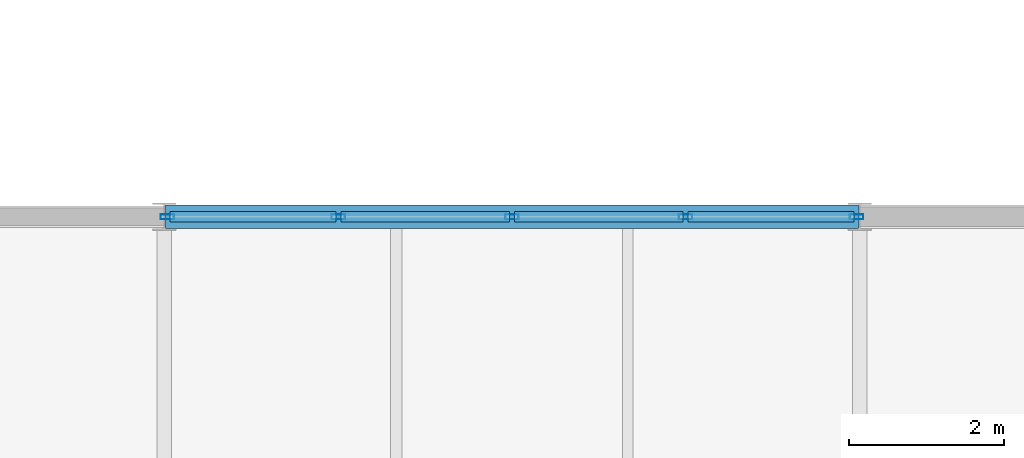
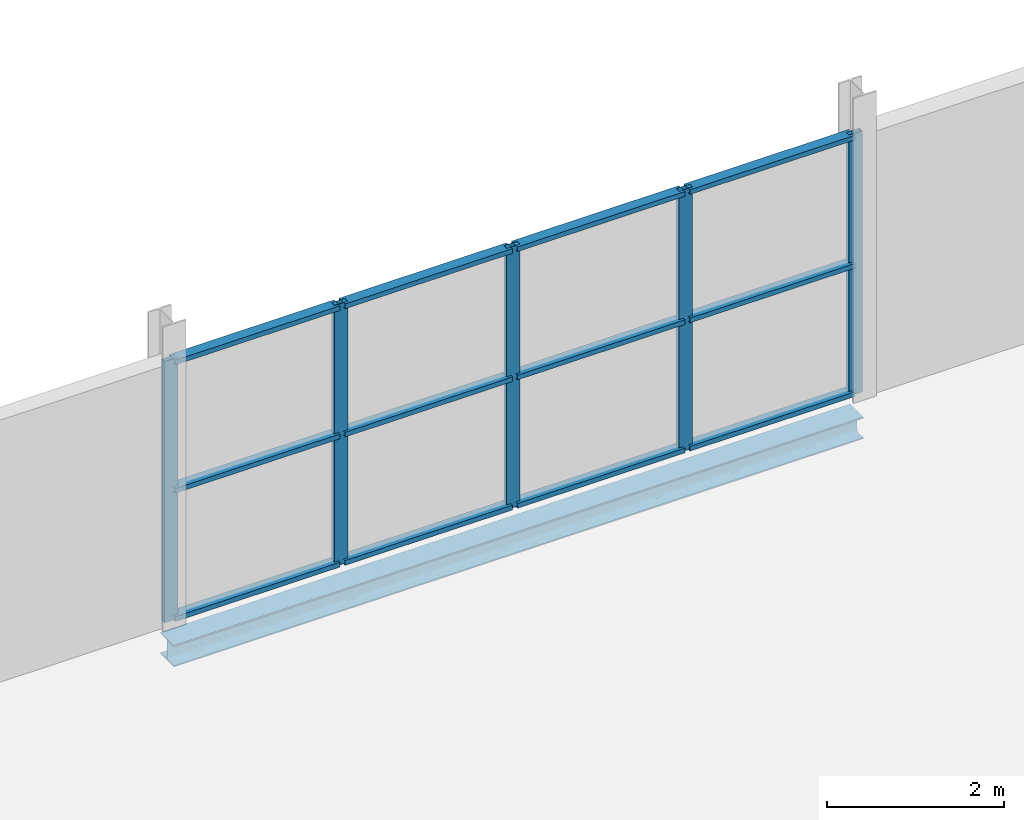
# One storey, part 98 of 132: 17 members, 1 beam, 1 element without a shape of its own.
"""IFC4 building model written with IfcOpenShell, lengths in metres."""

from ifc_helpers import new_model, si_unit, direction, frame, origin, origin_2d, place, context, subcontext, project, spatial, hollow_rectangle, i_section, extrude, material, layer, layer_set, material_profile, profile_set, type_object, element, aggregate, save


model = new_model("IFC4")

# Units and contexts
model_context = context("Model", 3, precision=1e-05, world=origin(), true_north=direction((0.0, 1.0)))
body_context = subcontext(model_context, "Body", "Model", "MODEL_VIEW")
ifc_project = project(units=[si_unit("LENGTHUNIT", "METRE"), si_unit("AREAUNIT", "SQUARE_METRE"), si_unit("VOLUMEUNIT", "CUBIC_METRE"), si_unit("PLANEANGLEUNIT", "RADIAN"), si_unit("MASSUNIT", "GRAM", prefix="KILO")], contexts=[model_context])

# Site, building, storey
site_placement = place(None, origin())
site = spatial("IfcSite", under=ifc_project, at=site_placement, CompositionType="ELEMENT")
building_placement = place(site_placement, origin())
building = spatial("IfcBuilding", under=site, at=building_placement, Name="Deido Ridge Mobility Hub", CompositionType="ELEMENT")
storey_placement = place(building_placement, frame((0.0, 0.0, 8.39990234375)))
storey = spatial("IfcBuildingStorey", under=building, at=storey_placement, Name="L02", CompositionType="ELEMENT", Elevation=8.39990234375)

# Curtain wall, members
ifc_material_1 = material(Name="Anodised aluminium EN AW-6063 T6", Category="aluminium")
ifc_layer = layer(ifc_material_1, 0.132080078125, Name="Anodised aluminium EN AW-6063 T6")
ifc_layer_set = layer_set([ifc_layer], Name="Anodised aluminium EN AW-6063 T6")
curtain_wall_type = type_object("IfcCurtainWallType", Name="CW-GS-1", PredefinedType="USERDEFINED", material=ifc_layer_set)
curtain_wall_placement = place(storey_placement, origin())
curtain_wall = element("IfcCurtainWall", 1, at=curtain_wall_placement, inside=storey, type_object=curtain_wall_type, Name="Unitised curtain wall GS1", ObjectType="GLAZED SCREEN", PredefinedType="USERDEFINED")
ifc_material_profile_1 = material_profile(ifc_material_1, hollow_rectangle(XDim=0.06494140625, YDim=0.175048828125, WallThickness=0.00390625, at=origin_2d()), Name="RHS 65x175x4")
ifc_profile_set_1 = profile_set([ifc_material_profile_1], Name="Anodised aluminium EN AW-6063 T6")
member_type_1 = type_object("IfcMemberType", Name="MEM-MUL-65X175", PredefinedType="MULLION", material=ifc_profile_set_1)
member_1_placement = place(storey_placement, frame((162.038818359375, 72.0, 0.0), z_axis=(0.0, 0.0, 1.0), x_axis=(0.0, 1.0, 0.0)))
member_1 = element("IfcMember", 2, at=member_1_placement, type_object=member_type_1, Name="GS1 mullion 1", PredefinedType="MULLION", context=body_context, shape_type="SweptSolid", body=[
    extrude(hollow_rectangle(XDim=0.06494140625, YDim=0.175048828125, WallThickness=0.00390625, at=origin_2d()), origin(), (0.0, 0.0, 1.0), 3.60009765625),
])
member_2_placement = place(storey_placement, frame((164.253173828125, 72.0, 0.0), z_axis=(0.0, 0.0, 1.0), x_axis=(0.0, 1.0, 0.0)))
member_2 = element("IfcMember", 3, at=member_2_placement, type_object=member_type_1, Name="GS1 mullion 2", PredefinedType="MULLION", context=body_context, shape_type="SweptSolid", body=[
    extrude(hollow_rectangle(XDim=0.06494140625, YDim=0.175048828125, WallThickness=0.00390625, at=origin_2d()), origin(), (0.0, 0.0, 1.0), 3.60009765625),
])
member_3_placement = place(storey_placement, frame((166.5, 72.0, 0.0), z_axis=(0.0, 0.0, 1.0), x_axis=(0.0, 1.0, 0.0)))
member_3 = element("IfcMember", 4, at=member_3_placement, type_object=member_type_1, Name="GS1 mullion 3", PredefinedType="MULLION", context=body_context, shape_type="SweptSolid", body=[
    extrude(hollow_rectangle(XDim=0.06494140625, YDim=0.175048828125, WallThickness=0.00390625, at=origin_2d()), origin(), (0.0, 0.0, 1.0), 3.60009765625),
])
member_4_placement = place(storey_placement, frame((168.746826171875, 72.0, 0.0), z_axis=(0.0, 0.0, 1.0), x_axis=(0.0, 1.0, 0.0)))
member_4 = element("IfcMember", 5, at=member_4_placement, type_object=member_type_1, Name="GS1 mullion 4", PredefinedType="MULLION", context=body_context, shape_type="SweptSolid", body=[
    extrude(hollow_rectangle(XDim=0.06494140625, YDim=0.175048828125, WallThickness=0.00390625, at=origin_2d()), origin(), (0.0, 0.0, 1.0), 3.60009765625),
])
member_5_placement = place(storey_placement, frame((170.961181640625, 72.0, 0.0), z_axis=(0.0, 0.0, 1.0), x_axis=(0.0, 1.0, 0.0)))
member_5 = element("IfcMember", 6, at=member_5_placement, type_object=member_type_1, Name="GS1 mullion 5", PredefinedType="MULLION", context=body_context, shape_type="SweptSolid", body=[
    extrude(hollow_rectangle(XDim=0.06494140625, YDim=0.175048828125, WallThickness=0.00390625, at=origin_2d()), origin(), (0.0, 0.0, 1.0), 3.60009765625),
])
ifc_material_profile_2 = material_profile(ifc_material_1, hollow_rectangle(XDim=0.135009765625, YDim=0.06494140625, WallThickness=0.00390625, at=origin_2d()), Name="RHS 135x65x4")
ifc_profile_set_2 = profile_set([ifc_material_profile_2], Name="Anodised aluminium EN AW-6063 T6")
member_type_2 = type_object("IfcMemberType", Name="MEM-TRN-135X65", PredefinedType="USERDEFINED", material=ifc_profile_set_2)
member_6_placement = place(storey_placement, frame((162.0712890625, 72.0, 0.03271484375), z_axis=(1.0, 0.0, 0.0), x_axis=(0.0, 1.0, 0.0)))
member_6 = element("IfcMember", 7, at=member_6_placement, type_object=member_type_2, Name="GS1 transom 1.1", ObjectType="TRANSOM", PredefinedType="USERDEFINED", context=body_context, shape_type="SweptSolid", body=[
    extrude(hollow_rectangle(XDim=0.135009765625, YDim=0.06494140625, WallThickness=0.00390625, at=origin_2d()), origin(), (0.0, 0.0, 1.0), 2.1494140625),
])
member_7_placement = place(storey_placement, frame((162.0712890625, 72.0, 1.800048828125), z_axis=(1.0, 0.0, 0.0), x_axis=(0.0, 1.0, 0.0)))
member_7 = element("IfcMember", 8, at=member_7_placement, type_object=member_type_2, Name="GS1 transom 1.2", ObjectType="TRANSOM", PredefinedType="USERDEFINED", context=body_context, shape_type="SweptSolid", body=[
    extrude(hollow_rectangle(XDim=0.135009765625, YDim=0.06494140625, WallThickness=0.00390625, at=origin_2d()), origin(), (0.0, 0.0, 1.0), 2.1494140625),
])
member_8_placement = place(storey_placement, frame((162.0712890625, 72.0, 3.567626953125), z_axis=(1.0, 0.0, 0.0), x_axis=(0.0, 1.0, 0.0)))
member_8 = element("IfcMember", 9, at=member_8_placement, type_object=member_type_2, Name="GS1 transom 1.3", ObjectType="TRANSOM", PredefinedType="USERDEFINED", context=body_context, shape_type="SweptSolid", body=[
    extrude(hollow_rectangle(XDim=0.135009765625, YDim=0.06494140625, WallThickness=0.00390625, at=origin_2d()), origin(), (0.0, 0.0, 1.0), 2.1494140625),
])
member_9_placement = place(storey_placement, frame((164.28564453125, 72.0, 0.03271484375), z_axis=(1.0, 0.0, 0.0), x_axis=(0.0, 1.0, 0.0)))
member_9 = element("IfcMember", 10, at=member_9_placement, type_object=member_type_2, Name="GS1 transom 2.1", ObjectType="TRANSOM", PredefinedType="USERDEFINED", context=body_context, shape_type="SweptSolid", body=[
    extrude(hollow_rectangle(XDim=0.135009765625, YDim=0.06494140625, WallThickness=0.00390625, at=origin_2d()), origin(), (0.0, 0.0, 1.0), 2.181884765625),
])
member_10_placement = place(storey_placement, frame((164.28564453125, 72.0, 1.800048828125), z_axis=(1.0, 0.0, 0.0), x_axis=(0.0, 1.0, 0.0)))
member_10 = element("IfcMember", 11, at=member_10_placement, type_object=member_type_2, Name="GS1 transom 2.2", ObjectType="TRANSOM", PredefinedType="USERDEFINED", context=body_context, shape_type="SweptSolid", body=[
    extrude(hollow_rectangle(XDim=0.135009765625, YDim=0.06494140625, WallThickness=0.00390625, at=origin_2d()), origin(), (0.0, 0.0, 1.0), 2.181884765625),
])
member_11_placement = place(storey_placement, frame((164.28564453125, 72.0, 3.567626953125), z_axis=(1.0, 0.0, 0.0), x_axis=(0.0, 1.0, 0.0)))
member_11 = element("IfcMember", 12, at=member_11_placement, type_object=member_type_2, Name="GS1 transom 2.3", ObjectType="TRANSOM", PredefinedType="USERDEFINED", context=body_context, shape_type="SweptSolid", body=[
    extrude(hollow_rectangle(XDim=0.135009765625, YDim=0.06494140625, WallThickness=0.00390625, at=origin_2d()), origin(), (0.0, 0.0, 1.0), 2.181884765625),
])
member_12_placement = place(storey_placement, frame((166.532470703125, 72.0, 0.03271484375), z_axis=(1.0, 0.0, 0.0), x_axis=(0.0, 1.0, 0.0)))
member_12 = element("IfcMember", 13, at=member_12_placement, type_object=member_type_2, Name="GS1 transom 3.1", ObjectType="TRANSOM", PredefinedType="USERDEFINED", context=body_context, shape_type="SweptSolid", body=[
    extrude(hollow_rectangle(XDim=0.135009765625, YDim=0.06494140625, WallThickness=0.00390625, at=origin_2d()), origin(), (0.0, 0.0, 1.0), 2.181884765625),
])
member_13_placement = place(storey_placement, frame((166.532470703125, 72.0, 1.800048828125), z_axis=(1.0, 0.0, 0.0), x_axis=(0.0, 1.0, 0.0)))
member_13 = element("IfcMember", 14, at=member_13_placement, type_object=member_type_2, Name="GS1 transom 3.2", ObjectType="TRANSOM", PredefinedType="USERDEFINED", context=body_context, shape_type="SweptSolid", body=[
    extrude(hollow_rectangle(XDim=0.135009765625, YDim=0.06494140625, WallThickness=0.00390625, at=origin_2d()), origin(), (0.0, 0.0, 1.0), 2.181884765625),
])
member_14_placement = place(storey_placement, frame((166.532470703125, 72.0, 3.567626953125), z_axis=(1.0, 0.0, 0.0), x_axis=(0.0, 1.0, 0.0)))
member_14 = element("IfcMember", 15, at=member_14_placement, type_object=member_type_2, Name="GS1 transom 3.3", ObjectType="TRANSOM", PredefinedType="USERDEFINED", context=body_context, shape_type="SweptSolid", body=[
    extrude(hollow_rectangle(XDim=0.135009765625, YDim=0.06494140625, WallThickness=0.00390625, at=origin_2d()), origin(), (0.0, 0.0, 1.0), 2.181884765625),
])
member_15_placement = place(storey_placement, frame((168.779296875, 72.0, 0.03271484375), z_axis=(1.0, 0.0, 0.0), x_axis=(0.0, 1.0, 0.0)))
member_15 = element("IfcMember", 16, at=member_15_placement, type_object=member_type_2, Name="GS1 transom 4.1", ObjectType="TRANSOM", PredefinedType="USERDEFINED", context=body_context, shape_type="SweptSolid", body=[
    extrude(hollow_rectangle(XDim=0.135009765625, YDim=0.06494140625, WallThickness=0.00390625, at=origin_2d()), origin(), (0.0, 0.0, 1.0), 2.1494140625),
])
member_16_placement = place(storey_placement, frame((168.779296875, 72.0, 1.800048828125), z_axis=(1.0, 0.0, 0.0), x_axis=(0.0, 1.0, 0.0)))
member_16 = element("IfcMember", 17, at=member_16_placement, type_object=member_type_2, Name="GS1 transom 4.2", ObjectType="TRANSOM", PredefinedType="USERDEFINED", context=body_context, shape_type="SweptSolid", body=[
    extrude(hollow_rectangle(XDim=0.135009765625, YDim=0.06494140625, WallThickness=0.00390625, at=origin_2d()), origin(), (0.0, 0.0, 1.0), 2.1494140625),
])
member_17_placement = place(storey_placement, frame((168.779296875, 72.0, 3.567626953125), z_axis=(1.0, 0.0, 0.0), x_axis=(0.0, 1.0, 0.0)))
member_17 = element("IfcMember", 18, at=member_17_placement, type_object=member_type_2, Name="GS1 transom 4.3", ObjectType="TRANSOM", PredefinedType="USERDEFINED", context=body_context, shape_type="SweptSolid", body=[
    extrude(hollow_rectangle(XDim=0.135009765625, YDim=0.06494140625, WallThickness=0.00390625, at=origin_2d()), origin(), (0.0, 0.0, 1.0), 2.1494140625),
])
aggregate(curtain_wall, [member_1, member_2, member_3, member_4, member_5, member_6, member_7, member_8, member_9, member_10, member_11, member_12, member_13, member_14, member_15, member_16, member_17])

# Beam
ifc_material_2 = material(Name="Steel S355J2 EN 10025-2", Category="steel")
ifc_material_profile_3 = material_profile(ifc_material_2, i_section(OverallWidth=0.300048828125, OverallDepth=0.300048828125, WebThickness=0.010986328125, FlangeThickness=0.01904296875, FilletRadius=0.027099609375, at=origin_2d()), Name="HEB 300")
ifc_profile_set_3 = profile_set([ifc_material_profile_3], Name="Steel S355J2 EN 10025-2")
beam_type = type_object("IfcBeamType", Name="SPD-HEB300", PredefinedType="SPANDREL", material=ifc_profile_set_3)
beam_placement = place(storey_placement, frame((162.006103515625, 72.0, -0.40478515625), z_axis=(1.0, 0.0, 0.0), x_axis=(0.0, 1.0, 0.0)))
element("IfcBeam", 19, at=beam_placement, inside=storey, type_object=beam_type, Name="Floor beam SP1", PredefinedType="SPANDREL", context=body_context, shape_type="SweptSolid", body=[
    extrude(i_section(OverallWidth=0.300048828125, OverallDepth=0.300048828125, WebThickness=0.010986328125, FlangeThickness=0.01904296875, FilletRadius=0.027099609375, at=origin_2d()), origin(), (0.0, 0.0, 1.0), 8.98779296875),
])

save(model, "model.ifc")
